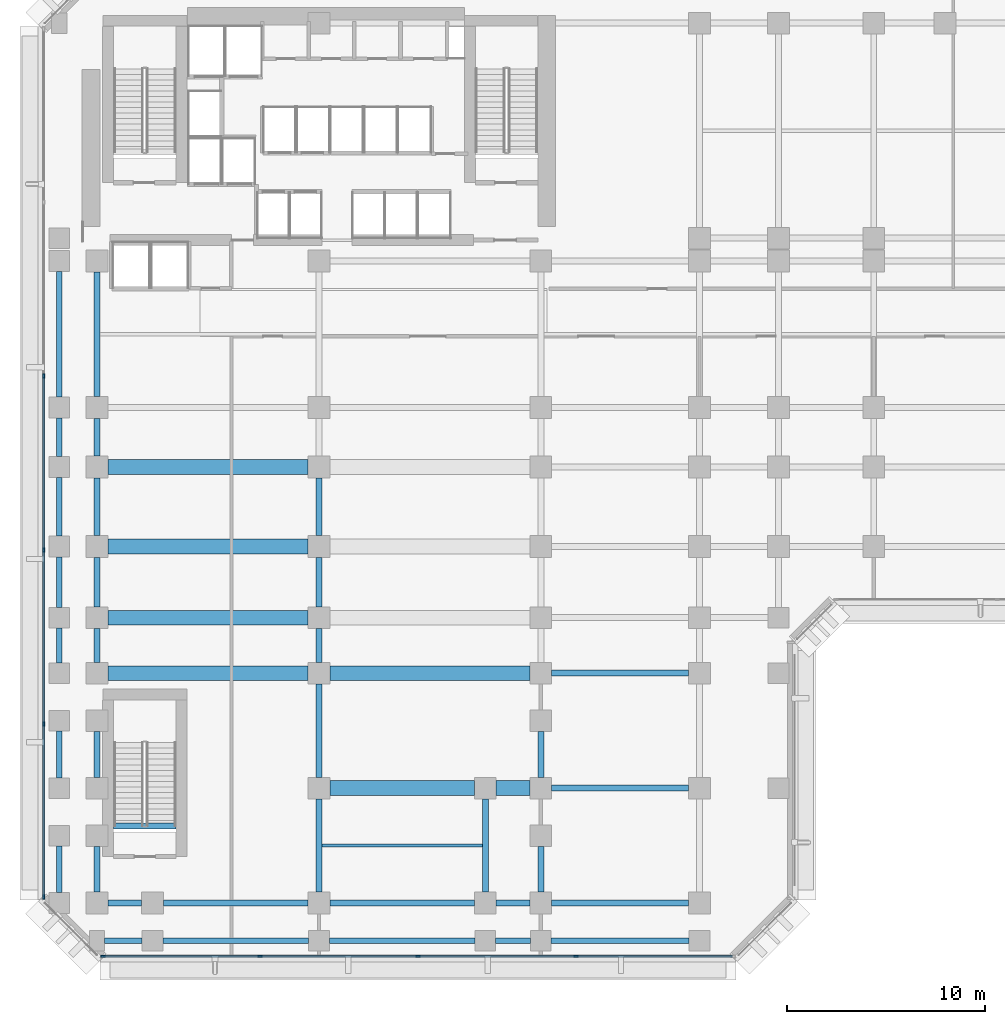
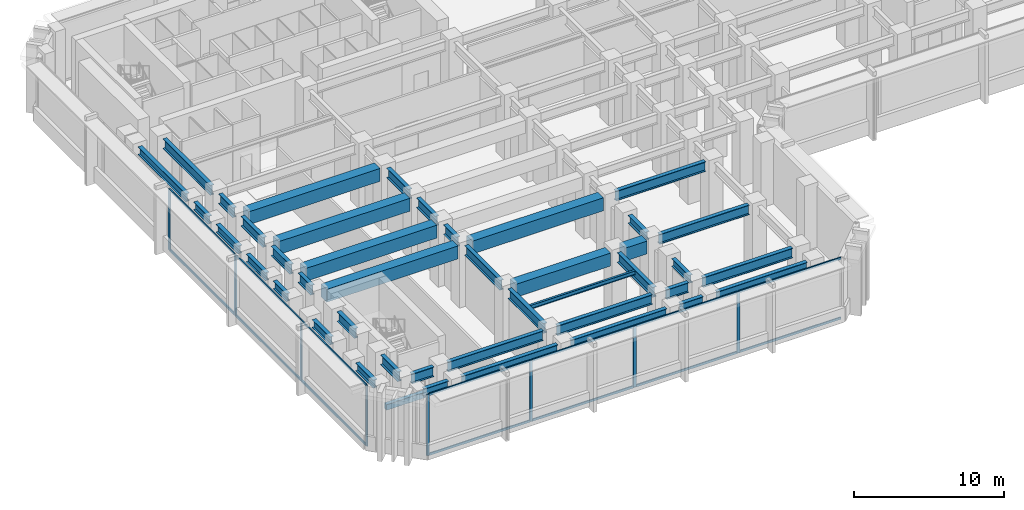
# One storey, part 2 of 20: 43 beams, 22 members, 2 elements without a shape of their own.
"""IFC4 building model written with IfcOpenShell, lengths in metres."""

from ifc_helpers import new_model, si_unit, direction, frame, origin, origin_2d, place, context, subcontext, project, spatial, rectangle, i_section, extrude, material, layer, layer_set, material_profile, profile_set, type_object, element, aggregate, save


model = new_model("IFC4")

# Units and contexts
model_context = context("Model", 3, precision=1e-05, world=origin(), true_north=direction((0.0, 1.0)))
body_context = subcontext(model_context, "Body", "Model", "MODEL_VIEW")
ifc_project = project(units=[si_unit("LENGTHUNIT", "METRE"), si_unit("AREAUNIT", "SQUARE_METRE"), si_unit("VOLUMEUNIT", "CUBIC_METRE"), si_unit("PLANEANGLEUNIT", "RADIAN"), si_unit("MASSUNIT", "GRAM", prefix="KILO")], contexts=[model_context])

# Site, building, storey
site_placement = place(None, origin())
site = spatial("IfcSite", under=ifc_project, at=site_placement, CompositionType="ELEMENT")
building_placement = place(site_placement, origin())
building = spatial("IfcBuilding", under=site, at=building_placement, Name="Kefirva Bronze Tower", CompositionType="ELEMENT")
storey_placement = place(building_placement, frame((0.0, 0.0, 5.93994140625)))
storey = spatial("IfcBuildingStorey", under=building, at=storey_placement, Name="L01", CompositionType="ELEMENT", Elevation=5.93994140625)

# Curtain wall, members
ifc_material_1 = material(Name="Bronze anodised aluminium", Category="aluminium")
ifc_layer = layer(ifc_material_1, 0.239990234375, Name="Bronze anodised aluminium")
ifc_layer_set = layer_set([ifc_layer], Name="Bronze anodised aluminium")
curtain_wall_type = type_object("IfcCurtainWallType", Name="Podium Double-Height Glazed Curtain Wall", PredefinedType="USERDEFINED", material=ifc_layer_set)
curtain_wall_1_placement = place(storey_placement, origin())
curtain_wall_1 = element("IfcCurtainWall", 1, at=curtain_wall_1_placement, inside=storey, type_object=curtain_wall_type, Name="L01 Curtain Wall 1", ObjectType="UNITISED CURTAIN WALL", PredefinedType="USERDEFINED")
ifc_material_profile_1 = material_profile(ifc_material_1, rectangle(XDim=0.090087890625, YDim=0.219970703125, at=origin_2d()), Name="ALU 90x220")
ifc_profile_set_1 = profile_set([ifc_material_profile_1], Name="Bronze anodised aluminium")
member_type_1 = type_object("IfcMemberType", Name="Bronze Mullion 90x220", PredefinedType="MULLION", material=ifc_profile_set_1)
member_1_placement = place(storey_placement, frame((1.10009765625, -1.8798828125, 0.0), z_axis=(0.0, 0.0, 1.0), x_axis=(0.0, 1.0, 0.0)))
member_1 = element("IfcMember", 2, at=member_1_placement, type_object=member_type_1, Name="CW-05 mullion 1", PredefinedType="MULLION", context=body_context, shape_type="SweptSolid", body=[
    extrude(rectangle(XDim=0.090087890625, YDim=0.219970703125, at=origin_2d()), origin(), (0.0, 0.0, 1.0), 4.9599609375),
])
member_2_placement = place(storey_placement, frame((9.027587890625, -1.8798828125, 0.0), z_axis=(0.0, 0.0, 1.0), x_axis=(0.0, 1.0, 0.0)))
member_2 = element("IfcMember", 3, at=member_2_placement, type_object=member_type_1, Name="CW-05 mullion 2", PredefinedType="MULLION", context=body_context, shape_type="SweptSolid", body=[
    extrude(rectangle(XDim=0.090087890625, YDim=0.219970703125, at=origin_2d()), origin(), (0.0, 0.0, 1.0), 4.9599609375),
])
member_3_placement = place(storey_placement, frame((17.0, -1.8798828125, 0.0), z_axis=(0.0, 0.0, 1.0), x_axis=(0.0, 1.0, 0.0)))
member_3 = element("IfcMember", 4, at=member_3_placement, type_object=member_type_1, Name="CW-05 mullion 3", PredefinedType="MULLION", context=body_context, shape_type="SweptSolid", body=[
    extrude(rectangle(XDim=0.090087890625, YDim=0.219970703125, at=origin_2d()), origin(), (0.0, 0.0, 1.0), 4.9599609375),
])
member_4_placement = place(storey_placement, frame((24.972412109375, -1.8798828125, 0.0), z_axis=(0.0, 0.0, 1.0), x_axis=(0.0, 1.0, 0.0)))
member_4 = element("IfcMember", 5, at=member_4_placement, type_object=member_type_1, Name="CW-05 mullion 4", PredefinedType="MULLION", context=body_context, shape_type="SweptSolid", body=[
    extrude(rectangle(XDim=0.090087890625, YDim=0.219970703125, at=origin_2d()), origin(), (0.0, 0.0, 1.0), 4.9599609375),
])

curtain_wall_2_placement = place(storey_placement, origin())
curtain_wall_2 = element("IfcCurtainWall", 6, at=curtain_wall_2_placement, inside=storey, type_object=curtain_wall_type, Name="L01 Curtain Wall 5", ObjectType="UNITISED CURTAIN WALL", PredefinedType="USERDEFINED")
member_5_placement = place(storey_placement, frame((-1.8798828125, 27.388916015625, 0.0), z_axis=(0.0, 0.0, 1.0), x_axis=(1.0, 0.0, 0.0)))
member_5 = element("IfcMember", 7, at=member_5_placement, type_object=member_type_1, Name="CW-05 mullion 3", PredefinedType="MULLION", context=body_context, shape_type="SweptSolid", body=[
    extrude(rectangle(XDim=0.090087890625, YDim=0.219970703125, at=origin_2d()), origin(), (0.0, 0.0, 1.0), 4.9599609375),
])
member_6_placement = place(storey_placement, frame((-1.8798828125, 18.611083984375, 0.0), z_axis=(0.0, 0.0, 1.0), x_axis=(1.0, 0.0, 0.0)))
member_6 = element("IfcMember", 8, at=member_6_placement, type_object=member_type_1, Name="CW-05 mullion 4", PredefinedType="MULLION", context=body_context, shape_type="SweptSolid", body=[
    extrude(rectangle(XDim=0.090087890625, YDim=0.219970703125, at=origin_2d()), origin(), (0.0, 0.0, 1.0), 4.9599609375),
])
member_7_placement = place(storey_placement, frame((-1.8798828125, 9.8330078125, 0.0), z_axis=(0.0, 0.0, 1.0), x_axis=(1.0, 0.0, 0.0)))
member_7 = element("IfcMember", 9, at=member_7_placement, type_object=member_type_1, Name="CW-05 mullion 5", PredefinedType="MULLION", context=body_context, shape_type="SweptSolid", body=[
    extrude(rectangle(XDim=0.090087890625, YDim=0.219970703125, at=origin_2d()), origin(), (0.0, 0.0, 1.0), 4.9599609375),
])
member_8_placement = place(storey_placement, frame((-1.8798828125, 1.10009765625, 0.0), z_axis=(0.0, 0.0, 1.0), x_axis=(1.0, 0.0, 0.0)))
member_8 = element("IfcMember", 10, at=member_8_placement, type_object=member_type_1, Name="CW-05 mullion 6", PredefinedType="MULLION", context=body_context, shape_type="SweptSolid", body=[
    extrude(rectangle(XDim=0.090087890625, YDim=0.219970703125, at=origin_2d()), origin(), (0.0, 0.0, 1.0), 4.9599609375),
])

# Member
ifc_material_profile_2 = material_profile(ifc_material_1, rectangle(XDim=0.090087890625, YDim=0.179931640625, at=origin_2d()), Name="ALU 90x180")
ifc_profile_set_2 = profile_set([ifc_material_profile_2], Name="Bronze anodised aluminium")
member_type_2 = type_object("IfcMemberType", Name="Bronze Transom 90x180", PredefinedType="USERDEFINED", material=ifc_profile_set_2)
member_9_placement = place(storey_placement, frame((1.14501953125, -1.8798828125, 0.045166015625), z_axis=(1.0, 0.0, 0.0), x_axis=(0.0, 1.0, 0.0)))
member_9 = element("IfcMember", 11, at=member_9_placement, type_object=member_type_2, Name="CW-05 transom 1.1", ObjectType="TRANSOM", PredefinedType="USERDEFINED", context=body_context, shape_type="SweptSolid", body=[
    extrude(rectangle(XDim=0.090087890625, YDim=0.179931640625, at=origin_2d()), origin(), (0.0, 0.0, 1.0), 7.83740234375),
])

member_10_placement = place(storey_placement, frame((1.14501953125, -1.8798828125, 4.9150390625), z_axis=(1.0, 0.0, 0.0), x_axis=(0.0, 1.0, 0.0)))
member_10 = element("IfcMember", 12, at=member_10_placement, type_object=member_type_2, Name="CW-05 transom 1.2", ObjectType="TRANSOM", PredefinedType="USERDEFINED", context=body_context, shape_type="SweptSolid", body=[
    extrude(rectangle(XDim=0.090087890625, YDim=0.179931640625, at=origin_2d()), origin(), (0.0, 0.0, 1.0), 7.83740234375),
])

member_11_placement = place(storey_placement, frame((9.072509765625, -1.8798828125, 0.045166015625), z_axis=(1.0, 0.0, 0.0), x_axis=(0.0, 1.0, 0.0)))
member_11 = element("IfcMember", 13, at=member_11_placement, type_object=member_type_2, Name="CW-05 transom 2.1", ObjectType="TRANSOM", PredefinedType="USERDEFINED", context=body_context, shape_type="SweptSolid", body=[
    extrude(rectangle(XDim=0.090087890625, YDim=0.179931640625, at=origin_2d()), origin(), (0.0, 0.0, 1.0), 7.882568359375),
])

member_12_placement = place(storey_placement, frame((9.072509765625, -1.8798828125, 4.9150390625), z_axis=(1.0, 0.0, 0.0), x_axis=(0.0, 1.0, 0.0)))
member_12 = element("IfcMember", 14, at=member_12_placement, type_object=member_type_2, Name="CW-05 transom 2.2", ObjectType="TRANSOM", PredefinedType="USERDEFINED", context=body_context, shape_type="SweptSolid", body=[
    extrude(rectangle(XDim=0.090087890625, YDim=0.179931640625, at=origin_2d()), origin(), (0.0, 0.0, 1.0), 7.882568359375),
])

member_13_placement = place(storey_placement, frame((17.044921875, -1.8798828125, 0.045166015625), z_axis=(1.0, 0.0, 0.0), x_axis=(0.0, 1.0, 0.0)))
member_13 = element("IfcMember", 15, at=member_13_placement, type_object=member_type_2, Name="CW-05 transom 3.1", ObjectType="TRANSOM", PredefinedType="USERDEFINED", context=body_context, shape_type="SweptSolid", body=[
    extrude(rectangle(XDim=0.090087890625, YDim=0.179931640625, at=origin_2d()), origin(), (0.0, 0.0, 1.0), 7.882568359375),
])

member_14_placement = place(storey_placement, frame((17.044921875, -1.8798828125, 4.9150390625), z_axis=(1.0, 0.0, 0.0), x_axis=(0.0, 1.0, 0.0)))
member_14 = element("IfcMember", 16, at=member_14_placement, type_object=member_type_2, Name="CW-05 transom 3.2", ObjectType="TRANSOM", PredefinedType="USERDEFINED", context=body_context, shape_type="SweptSolid", body=[
    extrude(rectangle(XDim=0.090087890625, YDim=0.179931640625, at=origin_2d()), origin(), (0.0, 0.0, 1.0), 7.882568359375),
])

member_15_placement = place(storey_placement, frame((25.017578125, -1.8798828125, 0.045166015625), z_axis=(1.0, 0.0, 0.0), x_axis=(0.0, 1.0, 0.0)))
member_15 = element("IfcMember", 17, at=member_15_placement, type_object=member_type_2, Name="CW-05 transom 4.1", ObjectType="TRANSOM", PredefinedType="USERDEFINED", context=body_context, shape_type="SweptSolid", body=[
    extrude(rectangle(XDim=0.090087890625, YDim=0.179931640625, at=origin_2d()), origin(), (0.0, 0.0, 1.0), 7.83740234375),
])

member_16_placement = place(storey_placement, frame((25.017578125, -1.8798828125, 4.9150390625), z_axis=(1.0, 0.0, 0.0), x_axis=(0.0, 1.0, 0.0)))
member_16 = element("IfcMember", 18, at=member_16_placement, type_object=member_type_2, Name="CW-05 transom 4.2", ObjectType="TRANSOM", PredefinedType="USERDEFINED", context=body_context, shape_type="SweptSolid", body=[
    extrude(rectangle(XDim=0.090087890625, YDim=0.179931640625, at=origin_2d()), origin(), (0.0, 0.0, 1.0), 7.83740234375),
])

aggregate(curtain_wall_1, [member_1, member_2, member_3, member_4, member_9, member_10, member_11, member_12, member_13, member_14, member_15, member_16])

member_17_placement = place(storey_placement, frame((-1.8798828125, 27.343994140625, 0.045166015625), z_axis=(0.0, -1.0, 0.0), x_axis=(1.0, 0.0, 0.0)))
member_17 = element("IfcMember", 19, at=member_17_placement, type_object=member_type_2, Name="CW-05 transom 3.1", ObjectType="TRANSOM", PredefinedType="USERDEFINED", context=body_context, shape_type="SweptSolid", body=[
    extrude(rectangle(XDim=0.090087890625, YDim=0.179931640625, at=origin_2d()), origin(), (0.0, 0.0, 1.0), 8.68798828125),
])

member_18_placement = place(storey_placement, frame((-1.8798828125, 27.343994140625, 4.9150390625), z_axis=(0.0, -1.0, 0.0), x_axis=(1.0, 0.0, 0.0)))
member_18 = element("IfcMember", 20, at=member_18_placement, type_object=member_type_2, Name="CW-05 transom 3.2", ObjectType="TRANSOM", PredefinedType="USERDEFINED", context=body_context, shape_type="SweptSolid", body=[
    extrude(rectangle(XDim=0.090087890625, YDim=0.179931640625, at=origin_2d()), origin(), (0.0, 0.0, 1.0), 8.68798828125),
])

member_19_placement = place(storey_placement, frame((-1.8798828125, 18.56591796875, 0.045166015625), z_axis=(0.0, -1.0, 0.0), x_axis=(1.0, 0.0, 0.0)))
member_19 = element("IfcMember", 21, at=member_19_placement, type_object=member_type_2, Name="CW-05 transom 4.1", ObjectType="TRANSOM", PredefinedType="USERDEFINED", context=body_context, shape_type="SweptSolid", body=[
    extrude(rectangle(XDim=0.090087890625, YDim=0.179931640625, at=origin_2d()), origin(), (0.0, 0.0, 1.0), 8.68798828125),
])

member_20_placement = place(storey_placement, frame((-1.8798828125, 18.56591796875, 4.9150390625), z_axis=(0.0, -1.0, 0.0), x_axis=(1.0, 0.0, 0.0)))
member_20 = element("IfcMember", 22, at=member_20_placement, type_object=member_type_2, Name="CW-05 transom 4.2", ObjectType="TRANSOM", PredefinedType="USERDEFINED", context=body_context, shape_type="SweptSolid", body=[
    extrude(rectangle(XDim=0.090087890625, YDim=0.179931640625, at=origin_2d()), origin(), (0.0, 0.0, 1.0), 8.68798828125),
])

member_21_placement = place(storey_placement, frame((-1.8798828125, 9.7880859375, 0.045166015625), z_axis=(0.0, -1.0, 0.0), x_axis=(1.0, 0.0, 0.0)))
member_21 = element("IfcMember", 23, at=member_21_placement, type_object=member_type_2, Name="CW-05 transom 5.1", ObjectType="TRANSOM", PredefinedType="USERDEFINED", context=body_context, shape_type="SweptSolid", body=[
    extrude(rectangle(XDim=0.090087890625, YDim=0.179931640625, at=origin_2d()), origin(), (0.0, 0.0, 1.0), 8.64306640625),
])

member_22_placement = place(storey_placement, frame((-1.8798828125, 9.7880859375, 4.9150390625), z_axis=(0.0, -1.0, 0.0), x_axis=(1.0, 0.0, 0.0)))
member_22 = element("IfcMember", 24, at=member_22_placement, type_object=member_type_2, Name="CW-05 transom 5.2", ObjectType="TRANSOM", PredefinedType="USERDEFINED", context=body_context, shape_type="SweptSolid", body=[
    extrude(rectangle(XDim=0.090087890625, YDim=0.179931640625, at=origin_2d()), origin(), (0.0, 0.0, 1.0), 8.64306640625),
])

aggregate(curtain_wall_2, [member_5, member_6, member_7, member_8, member_17, member_18, member_19, member_20, member_21, member_22])

# Beams
ifc_material_2 = material(Name="Concrete C50/60", Category="concrete")
ifc_material_profile_3 = material_profile(ifc_material_2, rectangle(XDim=0.75, YDim=1.050048828125, at=origin_2d()), Name="RC 750x1050")
ifc_profile_set_3 = profile_set([ifc_material_profile_3], Name="Concrete C50/60")
beam_type_1 = type_object("IfcBeamType", Name="RC Basement Girder 750x1050", PredefinedType="USERDEFINED", material=ifc_profile_set_3)
beam_1_placement = place(storey_placement, frame((12.550048828125, 6.60009765625, 4.43505859375), z_axis=(1.0, 0.0, 0.0), x_axis=(0.0, 1.0, 0.0)))
element("IfcBeam", 25, at=beam_1_placement, inside=storey, type_object=beam_type_1, Name="L01 BG-L01-12-66", ObjectType="GIRDER", PredefinedType="USERDEFINED", context=body_context, shape_type="SweptSolid", body=[
    extrude(rectangle(XDim=0.75, YDim=1.050048828125, at=origin_2d()), origin(), (0.0, 0.0, 1.0), 7.300048828125),
])
beam_2_placement = place(storey_placement, frame((20.949951171875, 6.60009765625, 4.43505859375), z_axis=(1.0, 0.0, 0.0), x_axis=(0.0, 1.0, 0.0)))
element("IfcBeam", 26, at=beam_2_placement, inside=storey, type_object=beam_type_1, Name="L01 BG-L01-20-66", ObjectType="GIRDER", PredefinedType="USERDEFINED", context=body_context, shape_type="SweptSolid", body=[
    extrude(rectangle(XDim=0.75, YDim=1.050048828125, at=origin_2d()), origin(), (0.0, 0.0, 1.0), 1.699951171875),
])
for number, where, z_axis, x_axis, name in (
    (27, (1.35009765625, 12.39990234375, 4.43505859375), (1.0, 0.0, 0.0), (0.0, 1.0, 0.0), "L01 BG-L01-0-124"),
    (28, (12.550048828125, 12.39990234375, 4.43505859375), (1.0, 0.0, 0.0), (0.0, 1.0, 0.0), "L01 BG-L01-12-124"),
    (29, (1.35009765625, 15.199951171875, 4.43505859375), (1.0, 0.0, 0.0), (0.0, 1.0, 0.0), "L01 BG-L01-0-152"),
    (30, (1.35009765625, 18.800048828125, 4.43505859375), (1.0, 0.0, 0.0), (0.0, 1.0, 0.0), "L01 BG-L01-0-188"),
    (31, (1.35009765625, 22.800048828125, 4.43505859375), (1.0, 0.0, 0.0), (0.0, 1.0, 0.0), "L01 BG-L01-0-228"),
):
    element("IfcBeam", number, at=place(storey_placement, frame(where, z_axis=z_axis, x_axis=x_axis)), inside=storey, type_object=beam_type_1, Name=name, ObjectType="GIRDER", PredefinedType="USERDEFINED", context=body_context, shape_type="SweptSolid", body=[
        extrude(rectangle(XDim=0.75, YDim=1.050048828125, at=origin_2d()), origin(), (0.0, 0.0, 1.0), 10.099853515625),
    ])
ifc_material_profile_4 = material_profile(ifc_material_2, rectangle(XDim=0.300048828125, YDim=0.449951171875, at=origin_2d()), Name="RC 300x450")
ifc_profile_set_4 = profile_set([ifc_material_profile_4], Name="Concrete C50/60")
beam_type_2 = type_object("IfcBeamType", Name="RC Stair Trimmer Beam 300x450", PredefinedType="BEAM", material=ifc_profile_set_4)
beam_3_placement = place(storey_placement, frame((1.64501953125, 4.699951171875, -0.224853515625), z_axis=(1.0, 0.0, 0.0), x_axis=(0.0, 1.0, 0.0)))
element("IfcBeam", 32, at=beam_3_placement, inside=storey, type_object=beam_type_2, Name="L01 Stair 3 Landing Trimmer Beam", PredefinedType="BEAM", context=body_context, shape_type="SweptSolid", body=[
    extrude(rectangle(XDim=0.300048828125, YDim=0.449951171875, at=origin_2d()), origin(), (0.0, 0.0, 1.0), 3.14990234375),
])
ifc_material_3 = material(Name="Steel S355", Category="steel")
ifc_material_profile_5 = material_profile(ifc_material_3, i_section(OverallWidth=0.159912109375, OverallDepth=0.330078125, WebThickness=0.007568359375, FlangeThickness=0.011474609375, at=origin_2d()), Name="IPE 330")
ifc_profile_set_5 = profile_set([ifc_material_profile_5], Name="Steel S355")
beam_type_3 = type_object("IfcBeamType", Name="Steel Floor Joist IPE 330", PredefinedType="JOIST", material=ifc_profile_set_5)
beam_4_placement = place(storey_placement, frame((12.14990234375, 3.699951171875, 4.795166015625), z_axis=(1.0, 0.0, 0.0), x_axis=(0.0, 1.0, 0.0)))
element("IfcBeam", 33, at=beam_4_placement, inside=storey, type_object=beam_type_3, Name="L01 JST-L01-12-37", PredefinedType="JOIST", context=body_context, shape_type="SweptSolid", body=[
    extrude(i_section(OverallWidth=0.159912109375, OverallDepth=0.330078125, WebThickness=0.007568359375, FlangeThickness=0.011474609375, at=origin_2d()), origin(), (0.0, 0.0, 1.0), 8.10009765625),
])
ifc_material_profile_6 = material_profile(ifc_material_3, i_section(OverallWidth=0.300048828125, OverallDepth=0.800048828125, WebThickness=0.017578125, FlangeThickness=0.032958984375, at=origin_2d()), Name="HEB 800")
ifc_profile_set_6 = profile_set([ifc_material_profile_6], Name="Steel S355")
beam_type_4 = type_object("IfcBeamType", Name="Steel Girder HEB 800", PredefinedType="USERDEFINED", material=ifc_profile_set_6)
beam_5_placement = place(storey_placement, frame((1.35009765625, 0.800048828125, 4.56005859375), z_axis=(1.0, 0.0, 0.0), x_axis=(0.0, 1.0, 0.0)))
element("IfcBeam", 34, at=beam_5_placement, inside=storey, type_object=beam_type_4, Name="L01 BM-L01-EW-0-8", ObjectType="GIRDER", PredefinedType="USERDEFINED", context=body_context, shape_type="SweptSolid", body=[
    extrude(i_section(OverallWidth=0.300048828125, OverallDepth=0.800048828125, WebThickness=0.017578125, FlangeThickness=0.032958984375, at=origin_2d()), origin(), (0.0, 0.0, 1.0), 1.699951171875),
])
for number, where, z_axis, x_axis, name in (
    (35, (4.14990234375, 0.800048828125, 4.56005859375), (1.0, 0.0, 0.0), (0.0, 1.0, 0.0), "L01 BM-L01-EW-3-8"),
    (36, (12.550048828125, 0.800048828125, 4.56005859375), (1.0, 0.0, 0.0), (0.0, 1.0, 0.0), "L01 BM-L01-EW-12-8"),
):
    element("IfcBeam", number, at=place(storey_placement, frame(where, z_axis=z_axis, x_axis=x_axis)), inside=storey, type_object=beam_type_4, Name=name, ObjectType="GIRDER", PredefinedType="USERDEFINED", context=body_context, shape_type="SweptSolid", body=[
        extrude(i_section(OverallWidth=0.300048828125, OverallDepth=0.800048828125, WebThickness=0.017578125, FlangeThickness=0.032958984375, at=origin_2d()), origin(), (0.0, 0.0, 1.0), 7.300048828125),
    ])
beam_6_placement = place(storey_placement, frame((20.949951171875, 0.800048828125, 4.56005859375), z_axis=(1.0, 0.0, 0.0), x_axis=(0.0, 1.0, 0.0)))
element("IfcBeam", 37, at=beam_6_placement, inside=storey, type_object=beam_type_4, Name="L01 BM-L01-EW-20-8", ObjectType="GIRDER", PredefinedType="USERDEFINED", context=body_context, shape_type="SweptSolid", body=[
    extrude(i_section(OverallWidth=0.300048828125, OverallDepth=0.800048828125, WebThickness=0.017578125, FlangeThickness=0.032958984375, at=origin_2d()), origin(), (0.0, 0.0, 1.0), 1.699951171875),
])
for number, where, z_axis, x_axis, name in (
    (38, (23.75, 0.800048828125, 4.56005859375), (1.0, 0.0, 0.0), (0.0, 1.0, 0.0), "L01 BM-L01-EW-23-8"),
    (39, (23.75, 6.60009765625, 4.56005859375), (1.0, 0.0, 0.0), (0.0, 1.0, 0.0), "L01 BM-L01-EW-23-66"),
    (40, (23.75, 12.39990234375, 4.56005859375), (1.0, 0.0, 0.0), (0.0, 1.0, 0.0), "L01 BM-L01-EW-23-124"),
):
    element("IfcBeam", number, at=place(storey_placement, frame(where, z_axis=z_axis, x_axis=x_axis)), inside=storey, type_object=beam_type_4, Name=name, ObjectType="GIRDER", PredefinedType="USERDEFINED", context=body_context, shape_type="SweptSolid", body=[
        extrude(i_section(OverallWidth=0.300048828125, OverallDepth=0.800048828125, WebThickness=0.017578125, FlangeThickness=0.032958984375, at=origin_2d()), origin(), (0.0, 0.0, 1.0), 6.89990234375),
    ])
beam_7_placement = place(storey_placement, frame((0.800048828125, 1.35009765625, 4.56005859375), z_axis=(0.0, 1.0, 0.0), x_axis=(-1.0, 0.0, 0.0)))
element("IfcBeam", 41, at=beam_7_placement, inside=storey, type_object=beam_type_4, Name="L01 BM-L01-NS-8-0", ObjectType="GIRDER", PredefinedType="USERDEFINED", context=body_context, shape_type="SweptSolid", body=[
    extrude(i_section(OverallWidth=0.300048828125, OverallDepth=0.800048828125, WebThickness=0.017578125, FlangeThickness=0.032958984375, at=origin_2d()), origin(), (0.0, 0.0, 1.0), 2.2998046875),
])
beam_8_placement = place(storey_placement, frame((0.800048828125, 7.14990234375, 4.56005859375), z_axis=(0.0, 1.0, 0.0), x_axis=(-1.0, 0.0, 0.0)))
element("IfcBeam", 42, at=beam_8_placement, inside=storey, type_object=beam_type_4, Name="L01 BM-L01-NS-8-6", ObjectType="GIRDER", PredefinedType="USERDEFINED", context=body_context, shape_type="SweptSolid", body=[
    extrude(i_section(OverallWidth=0.300048828125, OverallDepth=0.800048828125, WebThickness=0.017578125, FlangeThickness=0.032958984375, at=origin_2d()), origin(), (0.0, 0.0, 1.0), 2.300048828125),
])
beam_9_placement = place(storey_placement, frame((0.800048828125, 12.949951171875, 4.56005859375), z_axis=(0.0, 1.0, 0.0), x_axis=(-1.0, 0.0, 0.0)))
element("IfcBeam", 43, at=beam_9_placement, inside=storey, type_object=beam_type_4, Name="L01 BM-L01-NS-8-12", ObjectType="GIRDER", PredefinedType="USERDEFINED", context=body_context, shape_type="SweptSolid", body=[
    extrude(i_section(OverallWidth=0.300048828125, OverallDepth=0.800048828125, WebThickness=0.017578125, FlangeThickness=0.032958984375, at=origin_2d()), origin(), (0.0, 0.0, 1.0), 1.699951171875),
])
beam_10_placement = place(storey_placement, frame((0.800048828125, 15.75, 4.56005859375), z_axis=(0.0, 1.0, 0.0), x_axis=(-1.0, 0.0, 0.0)))
element("IfcBeam", 44, at=beam_10_placement, inside=storey, type_object=beam_type_4, Name="L01 BM-L01-NS-8-15", ObjectType="GIRDER", PredefinedType="USERDEFINED", context=body_context, shape_type="SweptSolid", body=[
    extrude(i_section(OverallWidth=0.300048828125, OverallDepth=0.800048828125, WebThickness=0.017578125, FlangeThickness=0.032958984375, at=origin_2d()), origin(), (0.0, 0.0, 1.0), 2.5),
])
beam_11_placement = place(storey_placement, frame((0.800048828125, 19.35009765625, 4.56005859375), z_axis=(0.0, 1.0, 0.0), x_axis=(-1.0, 0.0, 0.0)))
element("IfcBeam", 45, at=beam_11_placement, inside=storey, type_object=beam_type_4, Name="L01 BM-L01-NS-8-18", ObjectType="GIRDER", PredefinedType="USERDEFINED", context=body_context, shape_type="SweptSolid", body=[
    extrude(i_section(OverallWidth=0.300048828125, OverallDepth=0.800048828125, WebThickness=0.017578125, FlangeThickness=0.032958984375, at=origin_2d()), origin(), (0.0, 0.0, 1.0), 2.89990234375),
])
beam_12_placement = place(storey_placement, frame((0.800048828125, 23.35009765625, 4.56005859375), z_axis=(0.0, 1.0, 0.0), x_axis=(-1.0, 0.0, 0.0)))
element("IfcBeam", 46, at=beam_12_placement, inside=storey, type_object=beam_type_4, Name="L01 BM-L01-NS-8-22", ObjectType="GIRDER", PredefinedType="USERDEFINED", context=body_context, shape_type="SweptSolid", body=[
    extrude(i_section(OverallWidth=0.300048828125, OverallDepth=0.800048828125, WebThickness=0.017578125, FlangeThickness=0.032958984375, at=origin_2d()), origin(), (0.0, 0.0, 1.0), 1.89990234375),
])
beam_13_placement = place(storey_placement, frame((0.800048828125, 26.35009765625, 4.56005859375), z_axis=(0.0, 1.0, 0.0), x_axis=(-1.0, 0.0, 0.0)))
element("IfcBeam", 47, at=beam_13_placement, inside=storey, type_object=beam_type_4, Name="L01 BM-L01-NS-8-25", ObjectType="GIRDER", PredefinedType="USERDEFINED", context=body_context, shape_type="SweptSolid", body=[
    extrude(i_section(OverallWidth=0.300048828125, OverallDepth=0.800048828125, WebThickness=0.017578125, FlangeThickness=0.032958984375, at=origin_2d()), origin(), (0.0, 0.0, 1.0), 6.2998046875),
])
beam_14_placement = place(storey_placement, frame((12.0, 1.35009765625, 4.56005859375), z_axis=(0.0, 1.0, 0.0), x_axis=(-1.0, 0.0, 0.0)))
element("IfcBeam", 48, at=beam_14_placement, inside=storey, type_object=beam_type_4, Name="L01 BM-L01-NS-120-0", ObjectType="GIRDER", PredefinedType="USERDEFINED", context=body_context, shape_type="SweptSolid", body=[
    extrude(i_section(OverallWidth=0.300048828125, OverallDepth=0.800048828125, WebThickness=0.017578125, FlangeThickness=0.032958984375, at=origin_2d()), origin(), (0.0, 0.0, 1.0), 4.699951171875),
])
beam_15_placement = place(storey_placement, frame((12.0, 7.14990234375, 4.56005859375), z_axis=(0.0, 1.0, 0.0), x_axis=(-1.0, 0.0, 0.0)))
element("IfcBeam", 49, at=beam_15_placement, inside=storey, type_object=beam_type_4, Name="L01 BM-L01-NS-120-6", ObjectType="GIRDER", PredefinedType="USERDEFINED", context=body_context, shape_type="SweptSolid", body=[
    extrude(i_section(OverallWidth=0.300048828125, OverallDepth=0.800048828125, WebThickness=0.017578125, FlangeThickness=0.032958984375, at=origin_2d()), origin(), (0.0, 0.0, 1.0), 4.7001953125),
])
beam_16_placement = place(storey_placement, frame((12.0, 12.949951171875, 4.56005859375), z_axis=(0.0, 1.0, 0.0), x_axis=(-1.0, 0.0, 0.0)))
element("IfcBeam", 50, at=beam_16_placement, inside=storey, type_object=beam_type_4, Name="L01 BM-L01-NS-120-12", ObjectType="GIRDER", PredefinedType="USERDEFINED", context=body_context, shape_type="SweptSolid", body=[
    extrude(i_section(OverallWidth=0.300048828125, OverallDepth=0.800048828125, WebThickness=0.017578125, FlangeThickness=0.032958984375, at=origin_2d()), origin(), (0.0, 0.0, 1.0), 1.699951171875),
])
beam_17_placement = place(storey_placement, frame((12.0, 15.75, 4.56005859375), z_axis=(0.0, 1.0, 0.0), x_axis=(-1.0, 0.0, 0.0)))
element("IfcBeam", 51, at=beam_17_placement, inside=storey, type_object=beam_type_4, Name="L01 BM-L01-NS-120-15", ObjectType="GIRDER", PredefinedType="USERDEFINED", context=body_context, shape_type="SweptSolid", body=[
    extrude(i_section(OverallWidth=0.300048828125, OverallDepth=0.800048828125, WebThickness=0.017578125, FlangeThickness=0.032958984375, at=origin_2d()), origin(), (0.0, 0.0, 1.0), 2.5),
])
beam_18_placement = place(storey_placement, frame((12.0, 19.35009765625, 4.56005859375), z_axis=(0.0, 1.0, 0.0), x_axis=(-1.0, 0.0, 0.0)))
element("IfcBeam", 52, at=beam_18_placement, inside=storey, type_object=beam_type_4, Name="L01 BM-L01-NS-120-18", ObjectType="GIRDER", PredefinedType="USERDEFINED", context=body_context, shape_type="SweptSolid", body=[
    extrude(i_section(OverallWidth=0.300048828125, OverallDepth=0.800048828125, WebThickness=0.017578125, FlangeThickness=0.032958984375, at=origin_2d()), origin(), (0.0, 0.0, 1.0), 2.89990234375),
])
beam_19_placement = place(storey_placement, frame((20.39990234375, 1.35009765625, 4.56005859375), z_axis=(0.0, 1.0, 0.0), x_axis=(-1.0, 0.0, 0.0)))
element("IfcBeam", 53, at=beam_19_placement, inside=storey, type_object=beam_type_4, Name="L01 BM-L01-NS-204-0", ObjectType="GIRDER", PredefinedType="USERDEFINED", context=body_context, shape_type="SweptSolid", body=[
    extrude(i_section(OverallWidth=0.300048828125, OverallDepth=0.800048828125, WebThickness=0.017578125, FlangeThickness=0.032958984375, at=origin_2d()), origin(), (0.0, 0.0, 1.0), 4.699951171875),
])
ifc_material_profile_7 = material_profile(ifc_material_3, i_section(OverallWidth=0.300048828125, OverallDepth=0.64990234375, WebThickness=0.01611328125, FlangeThickness=0.031005859375, at=origin_2d()), Name="HEB 650")
ifc_profile_set_7 = profile_set([ifc_material_profile_7], Name="Steel S355")
beam_type_5 = type_object("IfcBeamType", Name="Steel Spandrel HEB 650 Ext", PredefinedType="SPANDREL", material=ifc_profile_set_7)
beam_20_placement = place(storey_placement, frame((1.179931640625, -1.10009765625, 4.635009765625), z_axis=(1.0, 0.0, 0.0), x_axis=(0.0, 1.0, 0.0)))
element("IfcBeam", 54, at=beam_20_placement, inside=storey, type_object=beam_type_5, Name="L01 BM-L01-EW-0--11", PredefinedType="SPANDREL", context=body_context, shape_type="SweptSolid", body=[
    extrude(i_section(OverallWidth=0.300048828125, OverallDepth=0.64990234375, WebThickness=0.01611328125, FlangeThickness=0.031005859375, at=origin_2d()), origin(), (0.0, 0.0, 1.0), 1.89501953125),
])
for number, where, z_axis, x_axis, name in (
    (55, (4.125, -1.10009765625, 4.635009765625), (1.0, 0.0, 0.0), (0.0, 1.0, 0.0), "L01 BM-L01-EW-3--11"),
    (56, (12.52490234375, -1.10009765625, 4.635009765625), (1.0, 0.0, 0.0), (0.0, 1.0, 0.0), "L01 BM-L01-EW-12--11"),
):
    element("IfcBeam", number, at=place(storey_placement, frame(where, z_axis=z_axis, x_axis=x_axis)), inside=storey, type_object=beam_type_5, Name=name, PredefinedType="SPANDREL", context=body_context, shape_type="SweptSolid", body=[
        extrude(i_section(OverallWidth=0.300048828125, OverallDepth=0.64990234375, WebThickness=0.01611328125, FlangeThickness=0.031005859375, at=origin_2d()), origin(), (0.0, 0.0, 1.0), 7.35009765625),
    ])
beam_21_placement = place(storey_placement, frame((20.925048828125, -1.10009765625, 4.635009765625), z_axis=(1.0, 0.0, 0.0), x_axis=(0.0, 1.0, 0.0)))
element("IfcBeam", 57, at=beam_21_placement, inside=storey, type_object=beam_type_5, Name="L01 BM-L01-EW-20--11", PredefinedType="SPANDREL", context=body_context, shape_type="SweptSolid", body=[
    extrude(i_section(OverallWidth=0.300048828125, OverallDepth=0.64990234375, WebThickness=0.01611328125, FlangeThickness=0.031005859375, at=origin_2d()), origin(), (0.0, 0.0, 1.0), 1.75),
])
beam_22_placement = place(storey_placement, frame((23.72509765625, -1.10009765625, 4.635009765625), z_axis=(1.0, 0.0, 0.0), x_axis=(0.0, 1.0, 0.0)))
element("IfcBeam", 58, at=beam_22_placement, inside=storey, type_object=beam_type_5, Name="L01 BM-L01-EW-23--11", PredefinedType="SPANDREL", context=body_context, shape_type="SweptSolid", body=[
    extrude(i_section(OverallWidth=0.300048828125, OverallDepth=0.64990234375, WebThickness=0.01611328125, FlangeThickness=0.031005859375, at=origin_2d()), origin(), (0.0, 0.0, 1.0), 6.949951171875),
])
for number, where, z_axis, x_axis, name in (
    (59, (-1.10009765625, 1.324951171875, 4.635009765625), (0.0, 1.0, 0.0), (-1.0, 0.0, 0.0), "L01 BM-L01-NS--11-0"),
    (60, (-1.10009765625, 7.125, 4.635009765625), (0.0, 1.0, 0.0), (-1.0, 0.0, 0.0), "L01 BM-L01-NS--11-6"),
):
    element("IfcBeam", number, at=place(storey_placement, frame(where, z_axis=z_axis, x_axis=x_axis)), inside=storey, type_object=beam_type_5, Name=name, PredefinedType="SPANDREL", context=body_context, shape_type="SweptSolid", body=[
        extrude(i_section(OverallWidth=0.300048828125, OverallDepth=0.64990234375, WebThickness=0.01611328125, FlangeThickness=0.031005859375, at=origin_2d()), origin(), (0.0, 0.0, 1.0), 2.35009765625),
    ])
beam_23_placement = place(storey_placement, frame((-1.10009765625, 12.925048828125, 4.635009765625), z_axis=(0.0, 1.0, 0.0), x_axis=(-1.0, 0.0, 0.0)))
element("IfcBeam", 61, at=beam_23_placement, inside=storey, type_object=beam_type_5, Name="L01 BM-L01-NS--11-12", PredefinedType="SPANDREL", context=body_context, shape_type="SweptSolid", body=[
    extrude(i_section(OverallWidth=0.300048828125, OverallDepth=0.64990234375, WebThickness=0.01611328125, FlangeThickness=0.031005859375, at=origin_2d()), origin(), (0.0, 0.0, 1.0), 1.75),
])
beam_24_placement = place(storey_placement, frame((-1.10009765625, 15.72509765625, 4.635009765625), z_axis=(0.0, 1.0, 0.0), x_axis=(-1.0, 0.0, 0.0)))
element("IfcBeam", 62, at=beam_24_placement, inside=storey, type_object=beam_type_5, Name="L01 BM-L01-NS--11-15", PredefinedType="SPANDREL", context=body_context, shape_type="SweptSolid", body=[
    extrude(i_section(OverallWidth=0.300048828125, OverallDepth=0.64990234375, WebThickness=0.01611328125, FlangeThickness=0.031005859375, at=origin_2d()), origin(), (0.0, 0.0, 1.0), 2.5498046875),
])
beam_25_placement = place(storey_placement, frame((-1.10009765625, 19.324951171875, 4.635009765625), z_axis=(0.0, 1.0, 0.0), x_axis=(-1.0, 0.0, 0.0)))
element("IfcBeam", 63, at=beam_25_placement, inside=storey, type_object=beam_type_5, Name="L01 BM-L01-NS--11-18", PredefinedType="SPANDREL", context=body_context, shape_type="SweptSolid", body=[
    extrude(i_section(OverallWidth=0.300048828125, OverallDepth=0.64990234375, WebThickness=0.01611328125, FlangeThickness=0.031005859375, at=origin_2d()), origin(), (0.0, 0.0, 1.0), 2.949951171875),
])
beam_26_placement = place(storey_placement, frame((-1.10009765625, 23.324951171875, 4.635009765625), z_axis=(0.0, 1.0, 0.0), x_axis=(-1.0, 0.0, 0.0)))
element("IfcBeam", 64, at=beam_26_placement, inside=storey, type_object=beam_type_5, Name="L01 BM-L01-NS--11-22", PredefinedType="SPANDREL", context=body_context, shape_type="SweptSolid", body=[
    extrude(i_section(OverallWidth=0.300048828125, OverallDepth=0.64990234375, WebThickness=0.01611328125, FlangeThickness=0.031005859375, at=origin_2d()), origin(), (0.0, 0.0, 1.0), 1.949951171875),
])
beam_27_placement = place(storey_placement, frame((-1.10009765625, 26.324951171875, 4.635009765625), z_axis=(0.0, 1.0, 0.0), x_axis=(-1.0, 0.0, 0.0)))
element("IfcBeam", 65, at=beam_27_placement, inside=storey, type_object=beam_type_5, Name="L01 BM-L01-NS--11-25", PredefinedType="SPANDREL", context=body_context, shape_type="SweptSolid", body=[
    extrude(i_section(OverallWidth=0.300048828125, OverallDepth=0.64990234375, WebThickness=0.01611328125, FlangeThickness=0.031005859375, at=origin_2d()), origin(), (0.0, 0.0, 1.0), 6.35009765625),
])
beam_28_placement = place(storey_placement, frame((23.199951171875, 1.35009765625, 4.635009765625), z_axis=(0.0, 1.0, 0.0), x_axis=(-1.0, 0.0, 0.0)))
element("IfcBeam", 66, at=beam_28_placement, inside=storey, type_object=beam_type_5, Name="L01 BM-L01-NS-232-0", PredefinedType="SPANDREL", context=body_context, shape_type="SweptSolid", body=[
    extrude(i_section(OverallWidth=0.300048828125, OverallDepth=0.64990234375, WebThickness=0.01611328125, FlangeThickness=0.031005859375, at=origin_2d()), origin(), (0.0, 0.0, 1.0), 2.2998046875),
])
beam_29_placement = place(storey_placement, frame((23.199951171875, 7.14990234375, 4.635009765625), z_axis=(0.0, 1.0, 0.0), x_axis=(-1.0, 0.0, 0.0)))
element("IfcBeam", 67, at=beam_29_placement, inside=storey, type_object=beam_type_5, Name="L01 BM-L01-NS-232-6", PredefinedType="SPANDREL", context=body_context, shape_type="SweptSolid", body=[
    extrude(i_section(OverallWidth=0.300048828125, OverallDepth=0.64990234375, WebThickness=0.01611328125, FlangeThickness=0.031005859375, at=origin_2d()), origin(), (0.0, 0.0, 1.0), 2.300048828125),
])

save(model, "model.ifc")
